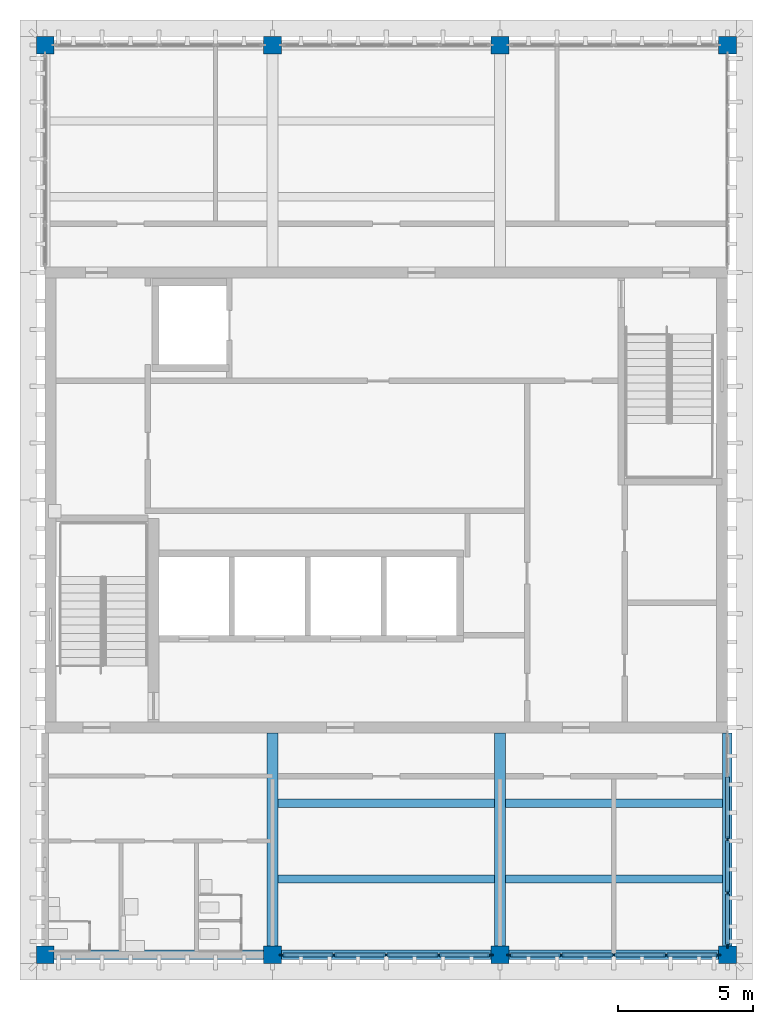
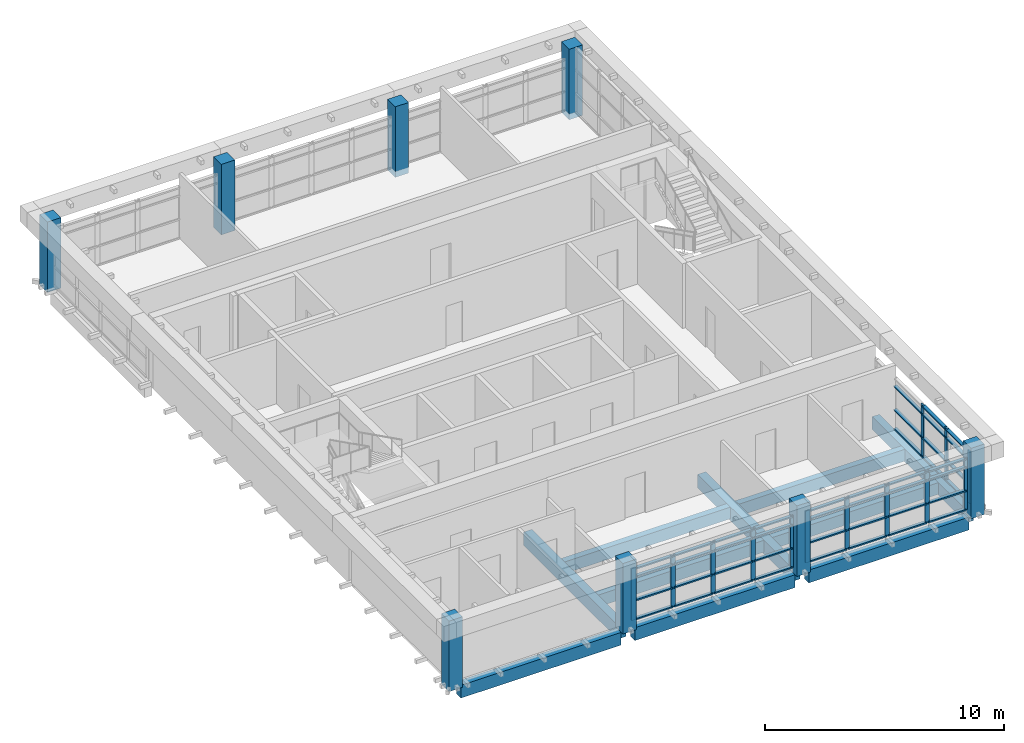
# One storey, part 1 of 10: 56 members, 10 beams, 8 columns, 3 elements without a shape of their own.
"""IFC4 building model written with IfcOpenShell, lengths in metres."""

import ifcopenshell
import ifcopenshell.guid

model = None  # the IFC model being written
_history = None  # IfcOwnerHistory: only IFC2X3 demands one
_inside = {}  # id of a spatial element -> (the spatial element, [elements in it])
_under = {}  # id of a project, library or spatial element -> (it, [spatial elements below it])
_declared = {}  # id of a project -> (the project, [libraries it declares])
_typed = {}  # id of a type object -> (the type object, [elements of that type])
_made_of = {}  # id of a material, layer set ... -> (it, [elements and type objects made of it])


def new_model(schema):
    """Start an empty IFC model of exactly this schema.

    Asked for "IFC4X3", IfcOpenShell would pick the latest addendum, in which some entities
    have other attributes; the version numbers below select the first issue.
    IFC2X3 requires an IfcOwnerHistory on every rooted entity: one is made here for all.
    """
    global model, _history
    if schema == "IFC4X3":
        model = ifcopenshell.file(schema_version=(4, 3, 0, 0))
    else:
        model = ifcopenshell.file(schema=schema)
    _inside.clear()
    _under.clear()
    _declared.clear()
    _typed.clear()
    _made_of.clear()
    _history = None
    if model.schema == "IFC2X3":
        org = make("IfcOrganization", Name="unknown")
        user = make(
            "IfcPersonAndOrganization",
            ThePerson=make("IfcPerson", FamilyName="unknown"),
            TheOrganization=org,
        )
        app = make(
            "IfcApplication",
            ApplicationDeveloper=org,
            Version="unknown",
            ApplicationFullName="unknown",
            ApplicationIdentifier="unknown",
        )
        _history = make(
            "IfcOwnerHistory",
            OwningUser=user,
            OwningApplication=app,
            ChangeAction="ADDED",
            CreationDate=0,
        )
    return model


def make(cls, **values):
    """One entity of the class cls with the attributes given. An attribute that is None is left unset."""
    return model.create_entity(
        cls, **{name: value for name, value in values.items() if value is not None}
    )


def rooted(cls, **values):
    """An entity with a GlobalId (a new one), such as an element, a storey or a relation."""
    return make(cls, GlobalId=ifcopenshell.guid.new(), OwnerHistory=_history, **values)


def si_unit(unit_type, name, prefix=None):
    """IfcSIUnit, for example si_unit("LENGTHUNIT", "METRE", prefix="MILLI")."""
    return make("IfcSIUnit", UnitType=unit_type, Prefix=prefix, Name=name)


def assignment(units):
    """IfcUnitAssignment: the units of a project."""
    return None if units is None else make("IfcUnitAssignment", Units=units)


def point(xyz):
    """IfcCartesianPoint."""
    return None if xyz is None else make("IfcCartesianPoint", Coordinates=xyz)


def direction(xyz):
    """IfcDirection."""
    return None if xyz is None else make("IfcDirection", DirectionRatios=xyz)


def frame(location, z_axis=None, x_axis=None):
    """IfcAxis2Placement3D, a coordinate frame: its origin and axes. An axis left out is left unset."""
    return make(
        "IfcAxis2Placement3D",
        Location=point(location),
        Axis=direction(z_axis),
        RefDirection=direction(x_axis),
    )


def frame_2d(location, x_axis=None):
    """IfcAxis2Placement2D, a coordinate frame in the plane: its origin and x axis."""
    return make(
        "IfcAxis2Placement2D", Location=point(location), RefDirection=direction(x_axis)
    )


def origin():
    """The frame at (0, 0, 0) with its axes left unset."""
    return frame((0.0, 0.0, 0.0))


def origin_2d():
    """The frame at (0, 0) in the plane with its x axis left unset."""
    return frame_2d((0.0, 0.0))


def place(relative_to, where):
    """IfcLocalPlacement: puts the frame where relative to a parent placement (None: the world)."""
    return make(
        "IfcLocalPlacement", PlacementRelTo=relative_to, RelativePlacement=where
    )


def context(
    kind, dimensions, precision=None, world=None, true_north=None, identifier=None
):
    """IfcGeometricRepresentationContext, for example the 3D "Model" context."""
    return make(
        "IfcGeometricRepresentationContext",
        ContextIdentifier=identifier,
        ContextType=kind,
        CoordinateSpaceDimension=dimensions,
        Precision=precision,
        WorldCoordinateSystem=world,
        TrueNorth=true_north,
    )


def subcontext(parent, identifier, kind, view, scale=None):
    """IfcGeometricRepresentationSubContext, for example "Body" below "Model"."""
    return make(
        "IfcGeometricRepresentationSubContext",
        ContextIdentifier=identifier,
        ContextType=kind,
        ParentContext=parent,
        TargetScale=scale,
        TargetView=view,
    )


def project(units=None, contexts=None):
    """IfcProject with its units and contexts."""
    return rooted(
        "IfcProject",
        Name="project",
        RepresentationContexts=contexts,
        UnitsInContext=assignment(units),
    )


def spatial(cls, under=None, at=None, **own):
    """A site, building, storey or space (cls), placed at a placement, below another one or the project."""
    s = rooted(cls, ObjectPlacement=at, **own)
    if under is not None:
        _under.setdefault(under.id(), (under, []))[1].append(s)
    return s


def profile(cls, at=None, kind="AREA", **sizes):
    """A parametric profile (cls). Its sizes go by their IFC names, for example OverallWidth=200.0."""
    return make(cls, ProfileType=kind, Position=at, **sizes)


def rectangle(**sizes):
    """IfcRectangleProfileDef."""
    return profile("IfcRectangleProfileDef", **sizes)


def extrude(swept, where, along, depth):
    """IfcExtrudedAreaSolid: the profile swept, set in the frame where, extruded along a direction by depth."""
    return make(
        "IfcExtrudedAreaSolid",
        SweptArea=swept,
        Position=where,
        ExtrudedDirection=direction(along),
        Depth=depth,
    )


def shape(context_of_items, identifier, shape_type, items):
    """IfcShapeRepresentation: the items that make up one representation, for example the "Body"."""
    return make(
        "IfcShapeRepresentation",
        ContextOfItems=context_of_items,
        RepresentationIdentifier=identifier,
        RepresentationType=shape_type,
        Items=items,
    )


def material(Name=None, Category=None):
    """IfcMaterial."""
    return make("IfcMaterial", Name=Name, Category=Category)


def layer(
    of_material, thickness, ventilated=None, Name=None, Category=None, Priority=None
):
    """IfcMaterialLayer: one layer of a wall or slab, of a material (None: an air gap)."""
    return make(
        "IfcMaterialLayer",
        Material=of_material,
        LayerThickness=thickness,
        IsVentilated=ventilated,
        Name=Name,
        Category=Category,
        Priority=Priority,
    )


def layer_set(layers, Name=None):
    """IfcMaterialLayerSet."""
    return make("IfcMaterialLayerSet", MaterialLayers=layers, LayerSetName=Name)


def material_profile(
    of_material, cross_section, Name=None, Category=None, Priority=None
):
    """IfcMaterialProfile: a cross section and its material."""
    return make(
        "IfcMaterialProfile",
        Name=Name,
        Material=of_material,
        Profile=cross_section,
        Priority=Priority,
        Category=Category,
    )


def profile_set(profiles, Name=None, composite=None):
    """IfcMaterialProfileSet."""
    return make(
        "IfcMaterialProfileSet",
        Name=Name,
        MaterialProfiles=profiles,
        CompositeProfile=composite,
    )


def made_of(thing, what):
    """Note that an element or type object is made of a material, layer set ...; save() writes the relation."""
    if what is not None:
        _made_of.setdefault(what.id(), (what, []))[1].append(thing)
    return thing


def type_object(cls, material=None, **own):
    """A type object (cls), such as IfcWallType, which elements share."""
    return made_of(rooted(cls, **own), material)


def element(
    cls,
    number,
    at=None,
    inside=None,
    cuts=None,
    type_object=None,
    material=None,
    context=None,
    identifier="Body",
    shape_type=None,
    held_by="IfcProductDefinitionShape",
    body=None,
    shapes=None,
    **own,
):
    """One element of the class cls, such as IfcWall. Its Tag is "e" and its number.

    at: its placement. inside: the storey or other place that contains it. cuts: it is an
    opening in that element (IfcRelVoidsElement). A single representation is given by context,
    identifier, shape_type and body (its items); several are given by shapes. held_by: the class
    of the entity that holds the representations. save() writes the other relations.
    """
    e = rooted(cls, Tag="e%d" % number, ObjectPlacement=at, **own)
    if body is not None:
        shapes = [shape(context, identifier, shape_type, body)]
    if shapes is not None:
        e.Representation = make(held_by, Representations=shapes)
    if inside is not None:
        _inside.setdefault(inside.id(), (inside, []))[1].append(e)
    if cuts is not None:
        rooted(
            "IfcRelVoidsElement", RelatingBuildingElement=cuts, RelatedOpeningElement=e
        )
    if type_object is not None:
        _typed.setdefault(type_object.id(), (type_object, []))[1].append(e)
    return made_of(e, material)


def aggregate(whole, parts):
    """IfcRelAggregates: a whole, such as a stair, and the parts it consists of."""
    return rooted("IfcRelAggregates", RelatingObject=whole, RelatedObjects=parts)


def save(model, path):
    """Write the relations noted so far, then the file.

    IfcRelAggregates (storeys below a building ...), IfcRelContainedInSpatialStructure (elements
    in a storey), IfcRelDefinesByType, IfcRelAssociatesMaterial and IfcRelDeclares: one each for
    every whole, place, type object, material and project.
    """
    for whole, parts in _under.values():
        aggregate(whole, parts)
    for where, things in _inside.values():
        rooted(
            "IfcRelContainedInSpatialStructure",
            RelatedElements=things,
            RelatingStructure=where,
        )
    for kind, things in _typed.values():
        rooted("IfcRelDefinesByType", RelatedObjects=things, RelatingType=kind)
    for what, things in _made_of.values():
        rooted("IfcRelAssociatesMaterial", RelatedObjects=things, RelatingMaterial=what)
    for by, libraries in _declared.values():
        rooted("IfcRelDeclares", RelatingContext=by, RelatedDefinitions=libraries)
    model.write(path)


model = new_model("IFC4")

# Units and contexts
model_context = context("Model", 3, precision=1e-05, world=origin(), true_north=direction((0.0, 1.0)))
body_context = subcontext(model_context, "Body", "Model", "MODEL_VIEW")
ifc_project = project(units=[si_unit("LENGTHUNIT", "METRE"), si_unit("AREAUNIT", "SQUARE_METRE"), si_unit("VOLUMEUNIT", "CUBIC_METRE"), si_unit("PLANEANGLEUNIT", "RADIAN"), si_unit("MASSUNIT", "GRAM", prefix="KILO")], contexts=[model_context])

# Site, building, storey
site_placement = place(None, origin())
site = spatial("IfcSite", under=ifc_project, at=site_placement, CompositionType="ELEMENT")
building_placement = place(site_placement, origin())
building = spatial("IfcBuilding", under=site, at=building_placement, Name="Rulbaag Community and Learning Centre", CompositionType="ELEMENT")
storey_placement = place(building_placement, frame((0.0, 0.0, 61.199951171875)))
storey = spatial("IfcBuildingStorey", under=building, at=storey_placement, Name="L16", CompositionType="ELEMENT", Elevation=61.199951171875)

# Columns
ifc_material_1 = material(Name="Concrete M40", Category="concrete")
ifc_material_profile_1 = material_profile(ifc_material_1, rectangle(XDim=0.64990234375, YDim=0.64990234375, at=origin_2d()), Name="RC650x650")
ifc_profile_set_1 = profile_set([ifc_material_profile_1], Name="Concrete M40")
column_type = type_object("IfcColumnType", Name="C6 Column 650x650 Concrete M40", PredefinedType="COLUMN", material=ifc_profile_set_1)
for number, where, z_axis, x_axis, name in (
    (1, (142.800048828125, 84.0, -0.300048828125), (0.0, 0.0, 1.0), (1.0, 0.0, 0.0), "COL-18K-L16"),
    (2, (142.800048828125, 117.60009765625, -0.300048828125), (0.0, 0.0, 1.0), (1.0, 0.0, 0.0), "COL-18O-L16"),
    (3, (151.199951171875, 84.0, -0.300048828125), (0.0, 0.0, 1.0), (1.0, 0.0, 0.0), "COL-19K-L16"),
    (4, (151.199951171875, 117.60009765625, -0.300048828125), (0.0, 0.0, 1.0), (1.0, 0.0, 0.0), "COL-19O-L16"),
    (5, (159.60009765625, 84.0, -0.300048828125), (0.0, 0.0, 1.0), (1.0, 0.0, 0.0), "COL-20K-L16"),
    (6, (159.60009765625, 117.60009765625, -0.300048828125), (0.0, 0.0, 1.0), (1.0, 0.0, 0.0), "COL-20O-L16"),
    (7, (168.0, 84.0, -0.300048828125), (0.0, 0.0, 1.0), (1.0, 0.0, 0.0), "COL-21K-L16"),
    (8, (168.0, 117.60009765625, -0.300048828125), (0.0, 0.0, 1.0), (1.0, 0.0, 0.0), "COL-21O-L16"),
):
    element("IfcColumn", number, at=place(storey_placement, frame(where, z_axis=z_axis, x_axis=x_axis)), inside=storey, type_object=column_type, Name=name, PredefinedType="COLUMN", context=body_context, shape_type="SweptSolid", body=[
        extrude(rectangle(XDim=0.64990234375, YDim=0.64990234375, at=origin_2d()), origin(), (0.0, 0.0, 1.0), 3.60009765625),
    ])

# Beams
ifc_material_profile_2 = material_profile(ifc_material_1, rectangle(XDim=0.39990234375, YDim=0.699951171875, at=origin_2d()), Name="RB400x700")
ifc_profile_set_2 = profile_set([ifc_material_profile_2], Name="Concrete M40")
beam_type_1 = type_object("IfcBeamType", Name="B13 Tower floor beam, upper zone 400x700 Concrete M40", PredefinedType="BEAM", material=ifc_profile_set_2)
for number, where, z_axis, x_axis, name in (
    (9, (151.199951171875, 84.330078125, -0.64990234375), (0.0, 1.0, 0.0), (-1.0, 0.0, 0.0), "BM-L16-19K-19L"),
    (10, (159.60009765625, 84.330078125, -0.64990234375), (0.0, 1.0, 0.0), (-1.0, 0.0, 0.0), "BM-L16-20K-20L"),
):
    element("IfcBeam", number, at=place(storey_placement, frame(where, z_axis=z_axis, x_axis=x_axis)), inside=storey, type_object=beam_type_1, Name=name, PredefinedType="BEAM", context=body_context, shape_type="SweptSolid", body=[
        extrude(rectangle(XDim=0.39990234375, YDim=0.699951171875, at=origin_2d()), origin(), (0.0, 0.0, 1.0), 7.869873046875),
    ])
ifc_material_profile_3 = material_profile(ifc_material_1, rectangle(XDim=0.35009765625, YDim=0.64990234375, at=origin_2d()), Name="RB350x650")
ifc_profile_set_3 = profile_set([ifc_material_profile_3], Name="Concrete M40")
beam_type_2 = type_object("IfcBeamType", Name="B14 Tower edge beam, upper zone 350x650 Concrete M40", PredefinedType="BEAM", material=ifc_profile_set_3)
beam_1_placement = place(storey_placement, frame((143.1298828125, 84.0, -0.625), z_axis=(1.0, 0.0, 0.0), x_axis=(0.0, 1.0, 0.0)))
element("IfcBeam", 11, at=beam_1_placement, inside=storey, type_object=beam_type_2, Name="BM-L16-18K-19K", PredefinedType="BEAM", context=body_context, shape_type="SweptSolid", body=[
    extrude(rectangle(XDim=0.35009765625, YDim=0.64990234375, at=origin_2d()), origin(), (0.0, 0.0, 1.0), 7.740234375),
])
for number, where, z_axis, x_axis, name in (
    (12, (151.530029296875, 84.0, -0.625), (1.0, 0.0, 0.0), (0.0, 1.0, 0.0), "BM-L16-19K-20K"),
    (13, (159.929931640625, 84.0, -0.625), (1.0, 0.0, 0.0), (0.0, 1.0, 0.0), "BM-L16-20K-21K"),
):
    element("IfcBeam", number, at=place(storey_placement, frame(where, z_axis=z_axis, x_axis=x_axis)), inside=storey, type_object=beam_type_2, Name=name, PredefinedType="BEAM", context=body_context, shape_type="SweptSolid", body=[
        extrude(rectangle(XDim=0.35009765625, YDim=0.64990234375, at=origin_2d()), origin(), (0.0, 0.0, 1.0), 7.739990234375),
    ])
beam_2_placement = place(storey_placement, frame((168.0, 84.330078125, -0.625), z_axis=(0.0, 1.0, 0.0), x_axis=(-1.0, 0.0, 0.0)))
element("IfcBeam", 14, at=beam_2_placement, inside=storey, type_object=beam_type_2, Name="BM-L16-21K-21L", PredefinedType="BEAM", context=body_context, shape_type="SweptSolid", body=[
    extrude(rectangle(XDim=0.35009765625, YDim=0.64990234375, at=origin_2d()), origin(), (0.0, 0.0, 1.0), 7.869873046875),
])
ifc_material_profile_4 = material_profile(ifc_material_1, rectangle(XDim=0.300048828125, YDim=0.60009765625, at=origin_2d()), Name="RB300x600")
ifc_profile_set_4 = profile_set([ifc_material_profile_4], Name="Concrete M40")
beam_type_3 = type_object("IfcBeamType", Name="B30 Secondary joist 300x600 Concrete M40", PredefinedType="BEAM", material=ifc_profile_set_4)
for number, where, z_axis, x_axis, name in (
    (15, (151.39990234375, 86.800048828125, -0.599853515625), (1.0, 0.0, 0.0), (0.0, 1.0, 0.0), "BM-JS-L16-19K-1"),
    (16, (151.39990234375, 89.60009765625, -0.599853515625), (1.0, 0.0, 0.0), (0.0, 1.0, 0.0), "BM-JS-L16-19K-2"),
):
    element("IfcBeam", number, at=place(storey_placement, frame(where, z_axis=z_axis, x_axis=x_axis)), inside=storey, type_object=beam_type_3, Name=name, PredefinedType="BEAM", context=body_context, shape_type="SweptSolid", body=[
        extrude(rectangle(XDim=0.300048828125, YDim=0.60009765625, at=origin_2d()), origin(), (0.0, 0.0, 1.0), 8.0),
    ])
for number, where, z_axis, x_axis, name in (
    (17, (159.800048828125, 86.800048828125, -0.599853515625), (1.0, 0.0, 0.0), (0.0, 1.0, 0.0), "BM-JS-L16-20K-1"),
    (18, (159.800048828125, 89.60009765625, -0.599853515625), (1.0, 0.0, 0.0), (0.0, 1.0, 0.0), "BM-JS-L16-20K-2"),
):
    element("IfcBeam", number, at=place(storey_placement, frame(where, z_axis=z_axis, x_axis=x_axis)), inside=storey, type_object=beam_type_3, Name=name, PredefinedType="BEAM", context=body_context, shape_type="SweptSolid", body=[
        extrude(rectangle(XDim=0.300048828125, YDim=0.60009765625, at=origin_2d()), origin(), (0.0, 0.0, 1.0), 8.02490234375),
    ])

# Curtain wall, members
ifc_material_2 = material(Name="Aluminium", Category="aluminium")
ifc_layer = layer(ifc_material_2, 0.14990234375)
ifc_layer_set = layer_set([ifc_layer], Name="CW-C")
curtain_wall_type = type_object("IfcCurtainWallType", Name="CW-C", PredefinedType="USERDEFINED", material=ifc_layer_set)
curtain_wall_1_placement = place(storey_placement, origin())
curtain_wall_1 = element("IfcCurtainWall", 19, at=curtain_wall_1_placement, inside=storey, type_object=curtain_wall_type, Name="GC-L16-01", ObjectType="UNITISED CURTAIN WALL", PredefinedType="USERDEFINED")
ifc_material_3 = material(Name="Aluminium mullion", Category="aluminium")
ifc_material_profile_5 = material_profile(ifc_material_3, rectangle(XDim=0.070068359375, YDim=0.22509765625, at=origin_2d()), Name="AL 70x225")
ifc_profile_set_5 = profile_set([ifc_material_profile_5], Name="Aluminium mullion")
member_type_1 = type_object("IfcMemberType", Name="CW-C-MUL", PredefinedType="MULLION", material=ifc_profile_set_5)
member_1_placement = place(storey_placement, frame((151.56005859375, 84.0, 0.0), z_axis=(0.0, 0.0, 1.0), x_axis=(0.0, 1.0, 0.0)))
member_1 = element("IfcMember", 20, at=member_1_placement, type_object=member_type_1, Name="GC mullion 1", PredefinedType="MULLION", context=body_context, shape_type="SweptSolid", body=[
    extrude(rectangle(XDim=0.070068359375, YDim=0.22509765625, at=origin_2d()), origin(), (0.0, 0.0, 1.0), 2.650146484375),
])
member_2_placement = place(storey_placement, frame((153.46240234375, 84.0, 0.0), z_axis=(0.0, 0.0, 1.0), x_axis=(0.0, 1.0, 0.0)))
member_2 = element("IfcMember", 21, at=member_2_placement, type_object=member_type_1, Name="GC mullion 2", PredefinedType="MULLION", context=body_context, shape_type="SweptSolid", body=[
    extrude(rectangle(XDim=0.070068359375, YDim=0.22509765625, at=origin_2d()), origin(), (0.0, 0.0, 1.0), 2.650146484375),
])
member_3_placement = place(storey_placement, frame((155.39990234375, 84.0, 0.0), z_axis=(0.0, 0.0, 1.0), x_axis=(0.0, 1.0, 0.0)))
member_3 = element("IfcMember", 22, at=member_3_placement, type_object=member_type_1, Name="GC mullion 3", PredefinedType="MULLION", context=body_context, shape_type="SweptSolid", body=[
    extrude(rectangle(XDim=0.070068359375, YDim=0.22509765625, at=origin_2d()), origin(), (0.0, 0.0, 1.0), 2.650146484375),
])
member_4_placement = place(storey_placement, frame((157.33740234375, 84.0, 0.0), z_axis=(0.0, 0.0, 1.0), x_axis=(0.0, 1.0, 0.0)))
member_4 = element("IfcMember", 23, at=member_4_placement, type_object=member_type_1, Name="GC mullion 4", PredefinedType="MULLION", context=body_context, shape_type="SweptSolid", body=[
    extrude(rectangle(XDim=0.070068359375, YDim=0.22509765625, at=origin_2d()), origin(), (0.0, 0.0, 1.0), 2.650146484375),
])
member_5_placement = place(storey_placement, frame((159.239990234375, 84.0, 0.0), z_axis=(0.0, 0.0, 1.0), x_axis=(0.0, 1.0, 0.0)))
member_5 = element("IfcMember", 24, at=member_5_placement, type_object=member_type_1, Name="GC mullion 5", PredefinedType="MULLION", context=body_context, shape_type="SweptSolid", body=[
    extrude(rectangle(XDim=0.070068359375, YDim=0.22509765625, at=origin_2d()), origin(), (0.0, 0.0, 1.0), 2.650146484375),
])

curtain_wall_2_placement = place(storey_placement, origin())
curtain_wall_2 = element("IfcCurtainWall", 25, at=curtain_wall_2_placement, inside=storey, type_object=curtain_wall_type, Name="GC-L16-02", ObjectType="UNITISED CURTAIN WALL", PredefinedType="USERDEFINED")
member_6_placement = place(storey_placement, frame((159.9599609375, 84.0, 0.0), z_axis=(0.0, 0.0, 1.0), x_axis=(0.0, 1.0, 0.0)))
member_6 = element("IfcMember", 26, at=member_6_placement, type_object=member_type_1, Name="GC mullion 1", PredefinedType="MULLION", context=body_context, shape_type="SweptSolid", body=[
    extrude(rectangle(XDim=0.070068359375, YDim=0.22509765625, at=origin_2d()), origin(), (0.0, 0.0, 1.0), 2.650146484375),
])
member_7_placement = place(storey_placement, frame((161.862548828125, 84.0, 0.0), z_axis=(0.0, 0.0, 1.0), x_axis=(0.0, 1.0, 0.0)))
member_7 = element("IfcMember", 27, at=member_7_placement, type_object=member_type_1, Name="GC mullion 2", PredefinedType="MULLION", context=body_context, shape_type="SweptSolid", body=[
    extrude(rectangle(XDim=0.070068359375, YDim=0.22509765625, at=origin_2d()), origin(), (0.0, 0.0, 1.0), 2.650146484375),
])
member_8_placement = place(storey_placement, frame((163.800048828125, 84.0, 0.0), z_axis=(0.0, 0.0, 1.0), x_axis=(0.0, 1.0, 0.0)))
member_8 = element("IfcMember", 28, at=member_8_placement, type_object=member_type_1, Name="GC mullion 3", PredefinedType="MULLION", context=body_context, shape_type="SweptSolid", body=[
    extrude(rectangle(XDim=0.070068359375, YDim=0.22509765625, at=origin_2d()), origin(), (0.0, 0.0, 1.0), 2.650146484375),
])
member_9_placement = place(storey_placement, frame((165.737548828125, 84.0, 0.0), z_axis=(0.0, 0.0, 1.0), x_axis=(0.0, 1.0, 0.0)))
member_9 = element("IfcMember", 29, at=member_9_placement, type_object=member_type_1, Name="GC mullion 4", PredefinedType="MULLION", context=body_context, shape_type="SweptSolid", body=[
    extrude(rectangle(XDim=0.070068359375, YDim=0.22509765625, at=origin_2d()), origin(), (0.0, 0.0, 1.0), 2.650146484375),
])
member_10_placement = place(storey_placement, frame((167.639892578125, 84.0, 0.0), z_axis=(0.0, 0.0, 1.0), x_axis=(0.0, 1.0, 0.0)))
member_10 = element("IfcMember", 30, at=member_10_placement, type_object=member_type_1, Name="GC mullion 5", PredefinedType="MULLION", context=body_context, shape_type="SweptSolid", body=[
    extrude(rectangle(XDim=0.070068359375, YDim=0.22509765625, at=origin_2d()), origin(), (0.0, 0.0, 1.0), 2.650146484375),
])

curtain_wall_3_placement = place(storey_placement, origin())
curtain_wall_3 = element("IfcCurtainWall", 31, at=curtain_wall_3_placement, inside=storey, type_object=curtain_wall_type, Name="GC-L16-07", ObjectType="UNITISED CURTAIN WALL", PredefinedType="USERDEFINED")
member_11_placement = place(storey_placement, frame((168.0, 84.360107421875, 0.0), z_axis=(0.0, 0.0, 1.0), x_axis=(-1.0, 0.0, 0.0)))
member_11 = element("IfcMember", 32, at=member_11_placement, type_object=member_type_1, Name="GC mullion 1", PredefinedType="MULLION", context=body_context, shape_type="SweptSolid", body=[
    extrude(rectangle(XDim=0.070068359375, YDim=0.22509765625, at=origin_2d()), origin(), (0.0, 0.0, 1.0), 2.650146484375),
])
member_12_placement = place(storey_placement, frame((168.0, 86.293701171875, 0.0), z_axis=(0.0, 0.0, 1.0), x_axis=(-1.0, 0.0, 0.0)))
member_12 = element("IfcMember", 33, at=member_12_placement, type_object=member_type_1, Name="GC mullion 2", PredefinedType="MULLION", context=body_context, shape_type="SweptSolid", body=[
    extrude(rectangle(XDim=0.070068359375, YDim=0.22509765625, at=origin_2d()), origin(), (0.0, 0.0, 1.0), 2.650146484375),
])
member_13_placement = place(storey_placement, frame((168.0, 88.262451171875, 0.0), z_axis=(0.0, 0.0, 1.0), x_axis=(-1.0, 0.0, 0.0)))
member_13 = element("IfcMember", 34, at=member_13_placement, type_object=member_type_1, Name="GC mullion 3", PredefinedType="MULLION", context=body_context, shape_type="SweptSolid", body=[
    extrude(rectangle(XDim=0.070068359375, YDim=0.22509765625, at=origin_2d()), origin(), (0.0, 0.0, 1.0), 2.650146484375),
])

# Member
ifc_material_4 = material(Name="Aluminium transom", Category="aluminium")
ifc_material_profile_6 = material_profile(ifc_material_4, rectangle(XDim=0.159912109375, YDim=0.070068359375, at=origin_2d()), Name="AL 70x160 T")
ifc_profile_set_6 = profile_set([ifc_material_profile_6], Name="Aluminium transom")
member_type_2 = type_object("IfcMemberType", Name="CW-C-TRN", PredefinedType="USERDEFINED", material=ifc_profile_set_6)
member_14_placement = place(storey_placement, frame((151.594970703125, 84.0, 0.03515625), z_axis=(1.0, 0.0, 0.0), x_axis=(0.0, 1.0, 0.0)))
member_14 = element("IfcMember", 35, at=member_14_placement, type_object=member_type_2, Name="GC transom 1.1", ObjectType="TRANSOM", PredefinedType="USERDEFINED", context=body_context, shape_type="SweptSolid", body=[
    extrude(rectangle(XDim=0.159912109375, YDim=0.070068359375, at=origin_2d()), origin(), (0.0, 0.0, 1.0), 1.83251953125),
])

member_15_placement = place(storey_placement, frame((151.594970703125, 84.0, 1.0), z_axis=(1.0, 0.0, 0.0), x_axis=(0.0, 1.0, 0.0)))
member_15 = element("IfcMember", 36, at=member_15_placement, type_object=member_type_2, Name="GC transom 1.2", ObjectType="TRANSOM", PredefinedType="USERDEFINED", context=body_context, shape_type="SweptSolid", body=[
    extrude(rectangle(XDim=0.159912109375, YDim=0.070068359375, at=origin_2d()), origin(), (0.0, 0.0, 1.0), 1.83251953125),
])

member_16_placement = place(storey_placement, frame((151.594970703125, 84.0, 2.199951171875), z_axis=(1.0, 0.0, 0.0), x_axis=(0.0, 1.0, 0.0)))
member_16 = element("IfcMember", 37, at=member_16_placement, type_object=member_type_2, Name="GC transom 1.3", ObjectType="TRANSOM", PredefinedType="USERDEFINED", context=body_context, shape_type="SweptSolid", body=[
    extrude(rectangle(XDim=0.159912109375, YDim=0.070068359375, at=origin_2d()), origin(), (0.0, 0.0, 1.0), 1.83251953125),
])

member_17_placement = place(storey_placement, frame((151.594970703125, 84.0, 2.614990234375), z_axis=(1.0, 0.0, 0.0), x_axis=(0.0, 1.0, 0.0)))
member_17 = element("IfcMember", 38, at=member_17_placement, type_object=member_type_2, Name="GC transom 1.4", ObjectType="TRANSOM", PredefinedType="USERDEFINED", context=body_context, shape_type="SweptSolid", body=[
    extrude(rectangle(XDim=0.159912109375, YDim=0.070068359375, at=origin_2d()), origin(), (0.0, 0.0, 1.0), 1.83251953125),
])

member_18_placement = place(storey_placement, frame((153.49755859375, 84.0, 0.03515625), z_axis=(1.0, 0.0, 0.0), x_axis=(0.0, 1.0, 0.0)))
member_18 = element("IfcMember", 39, at=member_18_placement, type_object=member_type_2, Name="GC transom 2.1", ObjectType="TRANSOM", PredefinedType="USERDEFINED", context=body_context, shape_type="SweptSolid", body=[
    extrude(rectangle(XDim=0.159912109375, YDim=0.070068359375, at=origin_2d()), origin(), (0.0, 0.0, 1.0), 1.867431640625),
])

member_19_placement = place(storey_placement, frame((153.49755859375, 84.0, 1.0), z_axis=(1.0, 0.0, 0.0), x_axis=(0.0, 1.0, 0.0)))
member_19 = element("IfcMember", 40, at=member_19_placement, type_object=member_type_2, Name="GC transom 2.2", ObjectType="TRANSOM", PredefinedType="USERDEFINED", context=body_context, shape_type="SweptSolid", body=[
    extrude(rectangle(XDim=0.159912109375, YDim=0.070068359375, at=origin_2d()), origin(), (0.0, 0.0, 1.0), 1.867431640625),
])

member_20_placement = place(storey_placement, frame((153.49755859375, 84.0, 2.199951171875), z_axis=(1.0, 0.0, 0.0), x_axis=(0.0, 1.0, 0.0)))
member_20 = element("IfcMember", 41, at=member_20_placement, type_object=member_type_2, Name="GC transom 2.3", ObjectType="TRANSOM", PredefinedType="USERDEFINED", context=body_context, shape_type="SweptSolid", body=[
    extrude(rectangle(XDim=0.159912109375, YDim=0.070068359375, at=origin_2d()), origin(), (0.0, 0.0, 1.0), 1.867431640625),
])

member_21_placement = place(storey_placement, frame((153.49755859375, 84.0, 2.614990234375), z_axis=(1.0, 0.0, 0.0), x_axis=(0.0, 1.0, 0.0)))
member_21 = element("IfcMember", 42, at=member_21_placement, type_object=member_type_2, Name="GC transom 2.4", ObjectType="TRANSOM", PredefinedType="USERDEFINED", context=body_context, shape_type="SweptSolid", body=[
    extrude(rectangle(XDim=0.159912109375, YDim=0.070068359375, at=origin_2d()), origin(), (0.0, 0.0, 1.0), 1.867431640625),
])

member_22_placement = place(storey_placement, frame((155.43505859375, 84.0, 0.03515625), z_axis=(1.0, 0.0, 0.0), x_axis=(0.0, 1.0, 0.0)))
member_22 = element("IfcMember", 43, at=member_22_placement, type_object=member_type_2, Name="GC transom 3.1", ObjectType="TRANSOM", PredefinedType="USERDEFINED", context=body_context, shape_type="SweptSolid", body=[
    extrude(rectangle(XDim=0.159912109375, YDim=0.070068359375, at=origin_2d()), origin(), (0.0, 0.0, 1.0), 1.867431640625),
])

member_23_placement = place(storey_placement, frame((155.43505859375, 84.0, 1.0), z_axis=(1.0, 0.0, 0.0), x_axis=(0.0, 1.0, 0.0)))
member_23 = element("IfcMember", 44, at=member_23_placement, type_object=member_type_2, Name="GC transom 3.2", ObjectType="TRANSOM", PredefinedType="USERDEFINED", context=body_context, shape_type="SweptSolid", body=[
    extrude(rectangle(XDim=0.159912109375, YDim=0.070068359375, at=origin_2d()), origin(), (0.0, 0.0, 1.0), 1.867431640625),
])

member_24_placement = place(storey_placement, frame((155.43505859375, 84.0, 2.199951171875), z_axis=(1.0, 0.0, 0.0), x_axis=(0.0, 1.0, 0.0)))
member_24 = element("IfcMember", 45, at=member_24_placement, type_object=member_type_2, Name="GC transom 3.3", ObjectType="TRANSOM", PredefinedType="USERDEFINED", context=body_context, shape_type="SweptSolid", body=[
    extrude(rectangle(XDim=0.159912109375, YDim=0.070068359375, at=origin_2d()), origin(), (0.0, 0.0, 1.0), 1.867431640625),
])

member_25_placement = place(storey_placement, frame((155.43505859375, 84.0, 2.614990234375), z_axis=(1.0, 0.0, 0.0), x_axis=(0.0, 1.0, 0.0)))
member_25 = element("IfcMember", 46, at=member_25_placement, type_object=member_type_2, Name="GC transom 3.4", ObjectType="TRANSOM", PredefinedType="USERDEFINED", context=body_context, shape_type="SweptSolid", body=[
    extrude(rectangle(XDim=0.159912109375, YDim=0.070068359375, at=origin_2d()), origin(), (0.0, 0.0, 1.0), 1.867431640625),
])

member_26_placement = place(storey_placement, frame((157.37255859375, 84.0, 0.03515625), z_axis=(1.0, 0.0, 0.0), x_axis=(0.0, 1.0, 0.0)))
member_26 = element("IfcMember", 47, at=member_26_placement, type_object=member_type_2, Name="GC transom 4.1", ObjectType="TRANSOM", PredefinedType="USERDEFINED", context=body_context, shape_type="SweptSolid", body=[
    extrude(rectangle(XDim=0.159912109375, YDim=0.070068359375, at=origin_2d()), origin(), (0.0, 0.0, 1.0), 1.83251953125),
])

member_27_placement = place(storey_placement, frame((157.37255859375, 84.0, 1.0), z_axis=(1.0, 0.0, 0.0), x_axis=(0.0, 1.0, 0.0)))
member_27 = element("IfcMember", 48, at=member_27_placement, type_object=member_type_2, Name="GC transom 4.2", ObjectType="TRANSOM", PredefinedType="USERDEFINED", context=body_context, shape_type="SweptSolid", body=[
    extrude(rectangle(XDim=0.159912109375, YDim=0.070068359375, at=origin_2d()), origin(), (0.0, 0.0, 1.0), 1.83251953125),
])

member_28_placement = place(storey_placement, frame((157.37255859375, 84.0, 2.199951171875), z_axis=(1.0, 0.0, 0.0), x_axis=(0.0, 1.0, 0.0)))
member_28 = element("IfcMember", 49, at=member_28_placement, type_object=member_type_2, Name="GC transom 4.3", ObjectType="TRANSOM", PredefinedType="USERDEFINED", context=body_context, shape_type="SweptSolid", body=[
    extrude(rectangle(XDim=0.159912109375, YDim=0.070068359375, at=origin_2d()), origin(), (0.0, 0.0, 1.0), 1.83251953125),
])

member_29_placement = place(storey_placement, frame((157.37255859375, 84.0, 2.614990234375), z_axis=(1.0, 0.0, 0.0), x_axis=(0.0, 1.0, 0.0)))
member_29 = element("IfcMember", 50, at=member_29_placement, type_object=member_type_2, Name="GC transom 4.4", ObjectType="TRANSOM", PredefinedType="USERDEFINED", context=body_context, shape_type="SweptSolid", body=[
    extrude(rectangle(XDim=0.159912109375, YDim=0.070068359375, at=origin_2d()), origin(), (0.0, 0.0, 1.0), 1.83251953125),
])

aggregate(curtain_wall_1, [member_1, member_2, member_3, member_4, member_5, member_14, member_15, member_16, member_17, member_18, member_19, member_20, member_21, member_22, member_23, member_24, member_25, member_26, member_27, member_28, member_29])

member_30_placement = place(storey_placement, frame((159.9951171875, 84.0, 0.03515625), z_axis=(1.0, 0.0, 0.0), x_axis=(0.0, 1.0, 0.0)))
member_30 = element("IfcMember", 51, at=member_30_placement, type_object=member_type_2, Name="GC transom 1.1", ObjectType="TRANSOM", PredefinedType="USERDEFINED", context=body_context, shape_type="SweptSolid", body=[
    extrude(rectangle(XDim=0.159912109375, YDim=0.070068359375, at=origin_2d()), origin(), (0.0, 0.0, 1.0), 1.832275390625),
])

member_31_placement = place(storey_placement, frame((159.9951171875, 84.0, 1.0), z_axis=(1.0, 0.0, 0.0), x_axis=(0.0, 1.0, 0.0)))
member_31 = element("IfcMember", 52, at=member_31_placement, type_object=member_type_2, Name="GC transom 1.2", ObjectType="TRANSOM", PredefinedType="USERDEFINED", context=body_context, shape_type="SweptSolid", body=[
    extrude(rectangle(XDim=0.159912109375, YDim=0.070068359375, at=origin_2d()), origin(), (0.0, 0.0, 1.0), 1.832275390625),
])

member_32_placement = place(storey_placement, frame((159.9951171875, 84.0, 2.199951171875), z_axis=(1.0, 0.0, 0.0), x_axis=(0.0, 1.0, 0.0)))
member_32 = element("IfcMember", 53, at=member_32_placement, type_object=member_type_2, Name="GC transom 1.3", ObjectType="TRANSOM", PredefinedType="USERDEFINED", context=body_context, shape_type="SweptSolid", body=[
    extrude(rectangle(XDim=0.159912109375, YDim=0.070068359375, at=origin_2d()), origin(), (0.0, 0.0, 1.0), 1.832275390625),
])

member_33_placement = place(storey_placement, frame((159.9951171875, 84.0, 2.614990234375), z_axis=(1.0, 0.0, 0.0), x_axis=(0.0, 1.0, 0.0)))
member_33 = element("IfcMember", 54, at=member_33_placement, type_object=member_type_2, Name="GC transom 1.4", ObjectType="TRANSOM", PredefinedType="USERDEFINED", context=body_context, shape_type="SweptSolid", body=[
    extrude(rectangle(XDim=0.159912109375, YDim=0.070068359375, at=origin_2d()), origin(), (0.0, 0.0, 1.0), 1.832275390625),
])

member_34_placement = place(storey_placement, frame((161.8974609375, 84.0, 0.03515625), z_axis=(1.0, 0.0, 0.0), x_axis=(0.0, 1.0, 0.0)))
member_34 = element("IfcMember", 55, at=member_34_placement, type_object=member_type_2, Name="GC transom 2.1", ObjectType="TRANSOM", PredefinedType="USERDEFINED", context=body_context, shape_type="SweptSolid", body=[
    extrude(rectangle(XDim=0.159912109375, YDim=0.070068359375, at=origin_2d()), origin(), (0.0, 0.0, 1.0), 1.867431640625),
])

member_35_placement = place(storey_placement, frame((161.8974609375, 84.0, 1.0), z_axis=(1.0, 0.0, 0.0), x_axis=(0.0, 1.0, 0.0)))
member_35 = element("IfcMember", 56, at=member_35_placement, type_object=member_type_2, Name="GC transom 2.2", ObjectType="TRANSOM", PredefinedType="USERDEFINED", context=body_context, shape_type="SweptSolid", body=[
    extrude(rectangle(XDim=0.159912109375, YDim=0.070068359375, at=origin_2d()), origin(), (0.0, 0.0, 1.0), 1.867431640625),
])

member_36_placement = place(storey_placement, frame((161.8974609375, 84.0, 2.199951171875), z_axis=(1.0, 0.0, 0.0), x_axis=(0.0, 1.0, 0.0)))
member_36 = element("IfcMember", 57, at=member_36_placement, type_object=member_type_2, Name="GC transom 2.3", ObjectType="TRANSOM", PredefinedType="USERDEFINED", context=body_context, shape_type="SweptSolid", body=[
    extrude(rectangle(XDim=0.159912109375, YDim=0.070068359375, at=origin_2d()), origin(), (0.0, 0.0, 1.0), 1.867431640625),
])

member_37_placement = place(storey_placement, frame((161.8974609375, 84.0, 2.614990234375), z_axis=(1.0, 0.0, 0.0), x_axis=(0.0, 1.0, 0.0)))
member_37 = element("IfcMember", 58, at=member_37_placement, type_object=member_type_2, Name="GC transom 2.4", ObjectType="TRANSOM", PredefinedType="USERDEFINED", context=body_context, shape_type="SweptSolid", body=[
    extrude(rectangle(XDim=0.159912109375, YDim=0.070068359375, at=origin_2d()), origin(), (0.0, 0.0, 1.0), 1.867431640625),
])

member_38_placement = place(storey_placement, frame((163.8349609375, 84.0, 0.03515625), z_axis=(1.0, 0.0, 0.0), x_axis=(0.0, 1.0, 0.0)))
member_38 = element("IfcMember", 59, at=member_38_placement, type_object=member_type_2, Name="GC transom 3.1", ObjectType="TRANSOM", PredefinedType="USERDEFINED", context=body_context, shape_type="SweptSolid", body=[
    extrude(rectangle(XDim=0.159912109375, YDim=0.070068359375, at=origin_2d()), origin(), (0.0, 0.0, 1.0), 1.867431640625),
])

member_39_placement = place(storey_placement, frame((163.8349609375, 84.0, 1.0), z_axis=(1.0, 0.0, 0.0), x_axis=(0.0, 1.0, 0.0)))
member_39 = element("IfcMember", 60, at=member_39_placement, type_object=member_type_2, Name="GC transom 3.2", ObjectType="TRANSOM", PredefinedType="USERDEFINED", context=body_context, shape_type="SweptSolid", body=[
    extrude(rectangle(XDim=0.159912109375, YDim=0.070068359375, at=origin_2d()), origin(), (0.0, 0.0, 1.0), 1.867431640625),
])

member_40_placement = place(storey_placement, frame((163.8349609375, 84.0, 2.199951171875), z_axis=(1.0, 0.0, 0.0), x_axis=(0.0, 1.0, 0.0)))
member_40 = element("IfcMember", 61, at=member_40_placement, type_object=member_type_2, Name="GC transom 3.3", ObjectType="TRANSOM", PredefinedType="USERDEFINED", context=body_context, shape_type="SweptSolid", body=[
    extrude(rectangle(XDim=0.159912109375, YDim=0.070068359375, at=origin_2d()), origin(), (0.0, 0.0, 1.0), 1.867431640625),
])

member_41_placement = place(storey_placement, frame((163.8349609375, 84.0, 2.614990234375), z_axis=(1.0, 0.0, 0.0), x_axis=(0.0, 1.0, 0.0)))
member_41 = element("IfcMember", 62, at=member_41_placement, type_object=member_type_2, Name="GC transom 3.4", ObjectType="TRANSOM", PredefinedType="USERDEFINED", context=body_context, shape_type="SweptSolid", body=[
    extrude(rectangle(XDim=0.159912109375, YDim=0.070068359375, at=origin_2d()), origin(), (0.0, 0.0, 1.0), 1.867431640625),
])

member_42_placement = place(storey_placement, frame((165.7724609375, 84.0, 0.03515625), z_axis=(1.0, 0.0, 0.0), x_axis=(0.0, 1.0, 0.0)))
member_42 = element("IfcMember", 63, at=member_42_placement, type_object=member_type_2, Name="GC transom 4.1", ObjectType="TRANSOM", PredefinedType="USERDEFINED", context=body_context, shape_type="SweptSolid", body=[
    extrude(rectangle(XDim=0.159912109375, YDim=0.070068359375, at=origin_2d()), origin(), (0.0, 0.0, 1.0), 1.83251953125),
])

member_43_placement = place(storey_placement, frame((165.7724609375, 84.0, 1.0), z_axis=(1.0, 0.0, 0.0), x_axis=(0.0, 1.0, 0.0)))
member_43 = element("IfcMember", 64, at=member_43_placement, type_object=member_type_2, Name="GC transom 4.2", ObjectType="TRANSOM", PredefinedType="USERDEFINED", context=body_context, shape_type="SweptSolid", body=[
    extrude(rectangle(XDim=0.159912109375, YDim=0.070068359375, at=origin_2d()), origin(), (0.0, 0.0, 1.0), 1.83251953125),
])

member_44_placement = place(storey_placement, frame((165.7724609375, 84.0, 2.199951171875), z_axis=(1.0, 0.0, 0.0), x_axis=(0.0, 1.0, 0.0)))
member_44 = element("IfcMember", 65, at=member_44_placement, type_object=member_type_2, Name="GC transom 4.3", ObjectType="TRANSOM", PredefinedType="USERDEFINED", context=body_context, shape_type="SweptSolid", body=[
    extrude(rectangle(XDim=0.159912109375, YDim=0.070068359375, at=origin_2d()), origin(), (0.0, 0.0, 1.0), 1.83251953125),
])

member_45_placement = place(storey_placement, frame((165.7724609375, 84.0, 2.614990234375), z_axis=(1.0, 0.0, 0.0), x_axis=(0.0, 1.0, 0.0)))
member_45 = element("IfcMember", 66, at=member_45_placement, type_object=member_type_2, Name="GC transom 4.4", ObjectType="TRANSOM", PredefinedType="USERDEFINED", context=body_context, shape_type="SweptSolid", body=[
    extrude(rectangle(XDim=0.159912109375, YDim=0.070068359375, at=origin_2d()), origin(), (0.0, 0.0, 1.0), 1.83251953125),
])

aggregate(curtain_wall_2, [member_6, member_7, member_8, member_9, member_10, member_30, member_31, member_32, member_33, member_34, member_35, member_36, member_37, member_38, member_39, member_40, member_41, member_42, member_43, member_44, member_45])

member_46_placement = place(storey_placement, frame((168.0, 84.39501953125, 0.03515625), z_axis=(0.0, 1.0, 0.0), x_axis=(-1.0, 0.0, 0.0)))
member_46 = element("IfcMember", 67, at=member_46_placement, type_object=member_type_2, Name="GC transom 1.1", ObjectType="TRANSOM", PredefinedType="USERDEFINED", context=body_context, shape_type="SweptSolid", body=[
    extrude(rectangle(XDim=0.159912109375, YDim=0.070068359375, at=origin_2d()), origin(), (0.0, 0.0, 1.0), 1.86376953125),
])

member_47_placement = place(storey_placement, frame((168.0, 84.39501953125, 1.0), z_axis=(0.0, 1.0, 0.0), x_axis=(-1.0, 0.0, 0.0)))
member_47 = element("IfcMember", 68, at=member_47_placement, type_object=member_type_2, Name="GC transom 1.2", ObjectType="TRANSOM", PredefinedType="USERDEFINED", context=body_context, shape_type="SweptSolid", body=[
    extrude(rectangle(XDim=0.159912109375, YDim=0.070068359375, at=origin_2d()), origin(), (0.0, 0.0, 1.0), 1.86376953125),
])

member_48_placement = place(storey_placement, frame((168.0, 84.39501953125, 2.199951171875), z_axis=(0.0, 1.0, 0.0), x_axis=(-1.0, 0.0, 0.0)))
member_48 = element("IfcMember", 69, at=member_48_placement, type_object=member_type_2, Name="GC transom 1.3", ObjectType="TRANSOM", PredefinedType="USERDEFINED", context=body_context, shape_type="SweptSolid", body=[
    extrude(rectangle(XDim=0.159912109375, YDim=0.070068359375, at=origin_2d()), origin(), (0.0, 0.0, 1.0), 1.86376953125),
])

member_49_placement = place(storey_placement, frame((168.0, 84.39501953125, 2.614990234375), z_axis=(0.0, 1.0, 0.0), x_axis=(-1.0, 0.0, 0.0)))
member_49 = element("IfcMember", 70, at=member_49_placement, type_object=member_type_2, Name="GC transom 1.4", ObjectType="TRANSOM", PredefinedType="USERDEFINED", context=body_context, shape_type="SweptSolid", body=[
    extrude(rectangle(XDim=0.159912109375, YDim=0.070068359375, at=origin_2d()), origin(), (0.0, 0.0, 1.0), 1.86376953125),
])

member_50_placement = place(storey_placement, frame((168.0, 86.328857421875, 0.03515625), z_axis=(0.0, 1.0, 0.0), x_axis=(-1.0, 0.0, 0.0)))
member_50 = element("IfcMember", 71, at=member_50_placement, type_object=member_type_2, Name="GC transom 2.1", ObjectType="TRANSOM", PredefinedType="USERDEFINED", context=body_context, shape_type="SweptSolid", body=[
    extrude(rectangle(XDim=0.159912109375, YDim=0.070068359375, at=origin_2d()), origin(), (0.0, 0.0, 1.0), 1.898681640625),
])

member_51_placement = place(storey_placement, frame((168.0, 86.328857421875, 1.0), z_axis=(0.0, 1.0, 0.0), x_axis=(-1.0, 0.0, 0.0)))
member_51 = element("IfcMember", 72, at=member_51_placement, type_object=member_type_2, Name="GC transom 2.2", ObjectType="TRANSOM", PredefinedType="USERDEFINED", context=body_context, shape_type="SweptSolid", body=[
    extrude(rectangle(XDim=0.159912109375, YDim=0.070068359375, at=origin_2d()), origin(), (0.0, 0.0, 1.0), 1.898681640625),
])

member_52_placement = place(storey_placement, frame((168.0, 86.328857421875, 2.199951171875), z_axis=(0.0, 1.0, 0.0), x_axis=(-1.0, 0.0, 0.0)))
member_52 = element("IfcMember", 73, at=member_52_placement, type_object=member_type_2, Name="GC transom 2.3", ObjectType="TRANSOM", PredefinedType="USERDEFINED", context=body_context, shape_type="SweptSolid", body=[
    extrude(rectangle(XDim=0.159912109375, YDim=0.070068359375, at=origin_2d()), origin(), (0.0, 0.0, 1.0), 1.898681640625),
])

member_53_placement = place(storey_placement, frame((168.0, 86.328857421875, 2.614990234375), z_axis=(0.0, 1.0, 0.0), x_axis=(-1.0, 0.0, 0.0)))
member_53 = element("IfcMember", 74, at=member_53_placement, type_object=member_type_2, Name="GC transom 2.4", ObjectType="TRANSOM", PredefinedType="USERDEFINED", context=body_context, shape_type="SweptSolid", body=[
    extrude(rectangle(XDim=0.159912109375, YDim=0.070068359375, at=origin_2d()), origin(), (0.0, 0.0, 1.0), 1.898681640625),
])

member_54_placement = place(storey_placement, frame((168.0, 88.297607421875, 0.03515625), z_axis=(0.0, 1.0, 0.0), x_axis=(-1.0, 0.0, 0.0)))
member_54 = element("IfcMember", 75, at=member_54_placement, type_object=member_type_2, Name="GC transom 3.1", ObjectType="TRANSOM", PredefinedType="USERDEFINED", context=body_context, shape_type="SweptSolid", body=[
    extrude(rectangle(XDim=0.159912109375, YDim=0.070068359375, at=origin_2d()), origin(), (0.0, 0.0, 1.0), 2.267333984375),
])

member_55_placement = place(storey_placement, frame((168.0, 88.297607421875, 1.0), z_axis=(0.0, 1.0, 0.0), x_axis=(-1.0, 0.0, 0.0)))
member_55 = element("IfcMember", 76, at=member_55_placement, type_object=member_type_2, Name="GC transom 3.2", ObjectType="TRANSOM", PredefinedType="USERDEFINED", context=body_context, shape_type="SweptSolid", body=[
    extrude(rectangle(XDim=0.159912109375, YDim=0.070068359375, at=origin_2d()), origin(), (0.0, 0.0, 1.0), 2.267333984375),
])

member_56_placement = place(storey_placement, frame((168.0, 88.297607421875, 2.199951171875), z_axis=(0.0, 1.0, 0.0), x_axis=(-1.0, 0.0, 0.0)))
member_56 = element("IfcMember", 77, at=member_56_placement, type_object=member_type_2, Name="GC transom 3.3", ObjectType="TRANSOM", PredefinedType="USERDEFINED", context=body_context, shape_type="SweptSolid", body=[
    extrude(rectangle(XDim=0.159912109375, YDim=0.070068359375, at=origin_2d()), origin(), (0.0, 0.0, 1.0), 2.267333984375),
])

aggregate(curtain_wall_3, [member_11, member_12, member_13, member_46, member_47, member_48, member_49, member_50, member_51, member_52, member_53, member_54, member_55, member_56])

save(model, "model.ifc")
